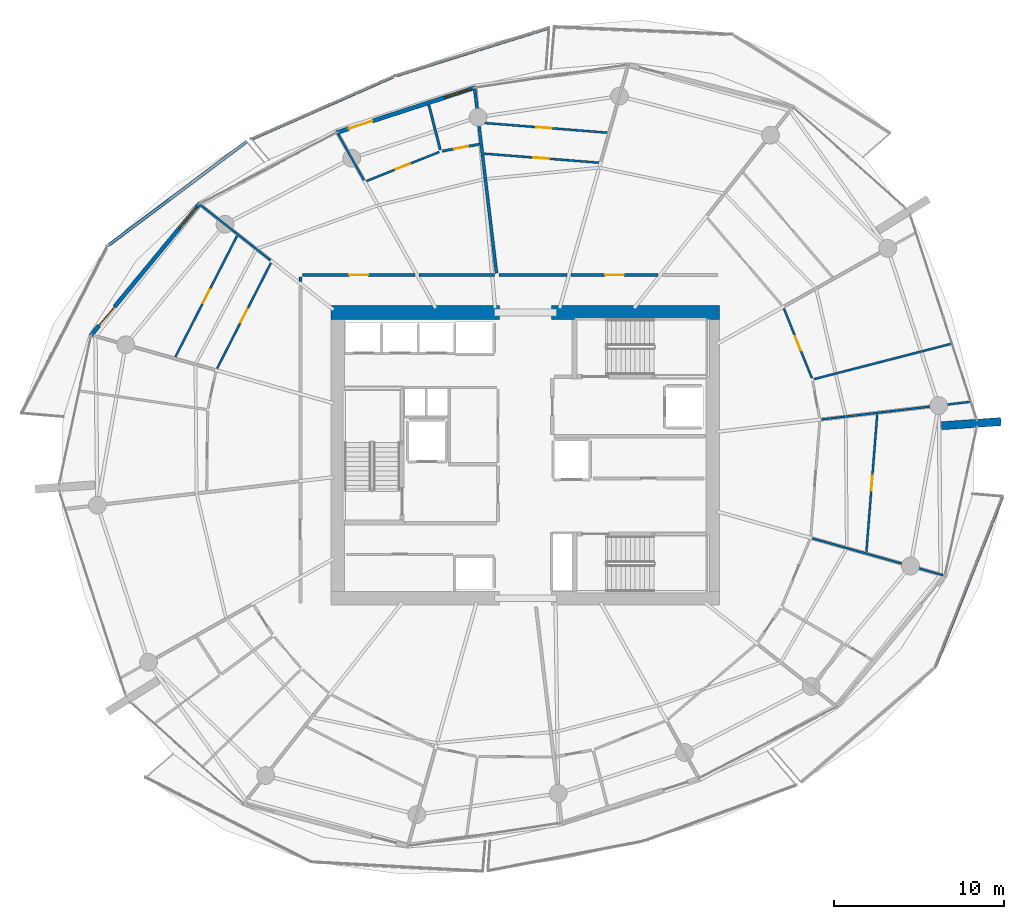
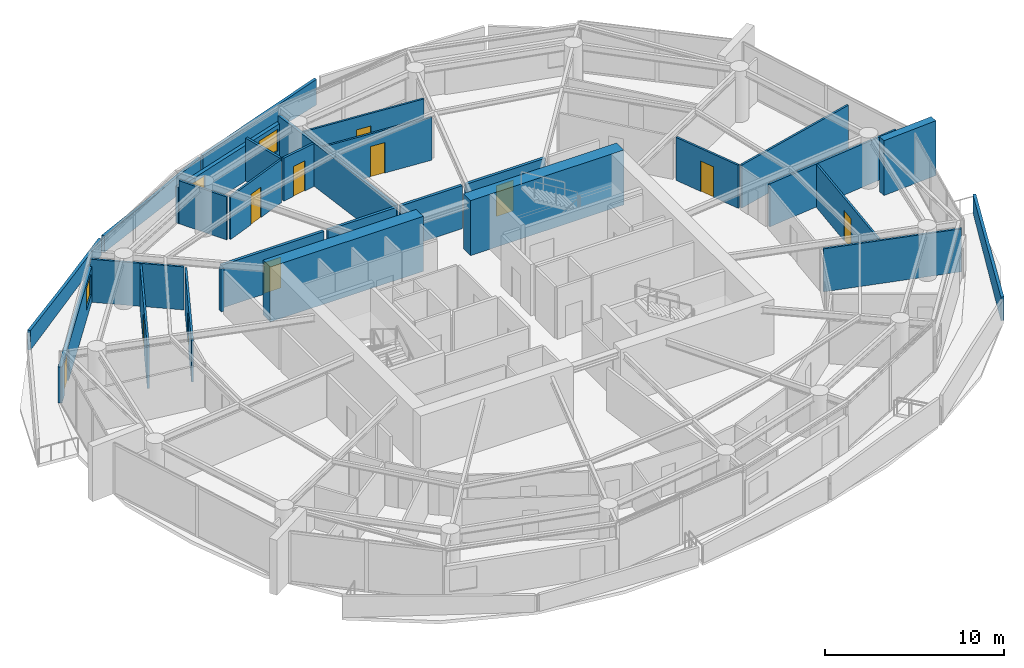
# One storey, part 14 of 20: 29 walls, 12 doors, 2 windows, 14 openings.
"""IFC4 building model written with IfcOpenShell, lengths in metres."""

from ifc_helpers import new_model, si_unit, direction, frame, frame_2d, origin, place, context, subcontext, project, spatial, polyline, rectangle, outline, extrude, material, layer, layer_set, type_object, element, fill, save


model = new_model("IFC4")

# Units and contexts
model_context = context("Model", 3, precision=1e-05, world=origin(), true_north=direction((0.0, 1.0)))
body_context = subcontext(model_context, "Body", "Model", "MODEL_VIEW")
ifc_project = project(units=[si_unit("LENGTHUNIT", "METRE"), si_unit("AREAUNIT", "SQUARE_METRE"), si_unit("VOLUMEUNIT", "CUBIC_METRE"), si_unit("PLANEANGLEUNIT", "RADIAN"), si_unit("MASSUNIT", "GRAM", prefix="KILO")], contexts=[model_context])

# Site, building, storey
site_placement = place(None, origin())
site = spatial("IfcSite", under=ifc_project, at=site_placement, CompositionType="ELEMENT")
building_placement = place(site_placement, origin())
building = spatial("IfcBuilding", under=site, at=building_placement, Name="Kazma Halo Residences", CompositionType="ELEMENT")
storey_placement = place(building_placement, frame((0.0, 0.0, 161.550048828125)))
storey = spatial("IfcBuildingStorey", under=building, at=storey_placement, Name="L40", CompositionType="ELEMENT", Elevation=161.550048828125)

# Walls
ifc_material_1 = material(Name="White Concrete C50/60 Balustrade", Category="concrete")
ifc_layer_1 = layer(ifc_material_1, 0.179931640625)
ifc_layer_set_1 = layer_set([ifc_layer_1], Name="White Concrete C50/60 Balustrade")
wall_type_1 = type_object("IfcWallType", Name="WL-BAL-WAVE-180", PredefinedType="PARAPET", material=ifc_layer_set_1)
wall_1_placement = place(storey_placement, frame((49.823974609375, 67.13720703125, 0.0), z_axis=(0.0, 0.0, 1.0), x_axis=(-0.954421625817, -0.298461656119, 0.0)))
element("IfcWall", 1, at=wall_1_placement, inside=storey, type_object=wall_type_1, Name="L40 white wave balustrade wall NNW.1", PredefinedType="PARAPET", context=body_context, shape_type="SweptSolid", body=[
    extrude(outline(polyline([(0.0, 0.0), (9.38330078125, 0.0), (9.383056640625, 1.347900390625), (4.69140625, 1.56201171875), (0.0, 1.7470703125), (0.0, 0.0)])), frame((0.0, 0.08984375, 0.0), z_axis=(0.0, -1.0, 0.0), x_axis=(1.0, 0.0, 0.0)), (0.0, 0.0, 1.0), 0.179931640625),
])
wall_2_placement = place(storey_placement, frame((40.644287109375, 64.252685546875, 0.0), z_axis=(0.0, 0.0, 1.0), x_axis=(-0.915409194146, -0.402524542448, 0.0)))
element("IfcWall", 2, at=wall_2_placement, inside=storey, type_object=wall_type_1, Name="L40 white wave balustrade wall NNW.2", PredefinedType="PARAPET", context=body_context, shape_type="SweptSolid", body=[
    extrude(outline(polyline([(0.0, 0.0), (9.0966796875, 0.0), (9.0966796875, 1.119873046875), (4.54833984375, 1.181884765625), (0.0, 1.347900390625), (0.0, 0.0)])), frame((0.0, 0.08984375, 0.0), z_axis=(0.0, -1.0, 0.0), x_axis=(1.0, 0.0, 0.0)), (0.0, 0.0, 1.0), 0.179931640625),
])
wall_3_placement = place(storey_placement, frame((32.04638671875, 60.449951171875, 0.0), z_axis=(0.0, 0.0, 1.0), x_axis=(-0.800078127259, -0.599895816189, 0.0)))
element("IfcWall", 3, at=wall_3_placement, inside=storey, type_object=wall_type_1, Name="L40 white wave balustrade wall NW.1", PredefinedType="PARAPET", context=body_context, shape_type="SweptSolid", body=[
    extrude(outline(polyline([(0.0, 0.0), (10.123779296875, 0.0), (10.123779296875, 1.347900390625), (5.061767578125, 1.181884765625), (0.0, 1.119873046875), (0.0, 0.0)])), frame((0.0, 0.08984375, 0.0), z_axis=(0.0, -1.0, 0.0), x_axis=(1.0, 0.0, 0.0)), (0.0, 0.0, 1.0), 0.179931640625),
])
wall_4_placement = place(storey_placement, frame((72.548095703125, 29.626220703125, 0.0), z_axis=(0.0, 0.0, 1.0), x_axis=(0.367668520181, 0.929956912587, 0.0)))
element("IfcWall", 4, at=wall_4_placement, inside=storey, type_object=wall_type_1, Name="L40 white wave balustrade wall SE.2", PredefinedType="PARAPET", context=body_context, shape_type="SweptSolid", body=[
    extrude(outline(polyline([(0.0, 0.0), (10.706787109375, 0.0), (10.706787109375, 1.23291015625), (5.353515625, 1.41796875), (0.0, 1.6318359375), (0.0, 0.0)])), frame((0.0, 0.08984375, 0.0), z_axis=(0.0, -1.0, 0.0), x_axis=(1.0, 0.0, 0.0)), (0.0, 0.0, 1.0), 0.179931640625),
])
ifc_material_2 = material(Name="Pale Concrete C60/75", Category="concrete")
ifc_layer_2 = layer(ifc_material_2, 0.47998046875)
ifc_layer_set_2 = layer_set([ifc_layer_2], Name="Pale Concrete C60/75")
wall_type_2 = type_object("IfcWallType", Name="WL-BLADE-480", PredefinedType="SOLIDWALL", material=ifc_layer_set_2)
wall_5_placement = place(storey_placement, frame((72.89697265625, 43.740966796875, 0.0), z_axis=(0.0, 0.0, 1.0), x_axis=(0.997564163539, 0.069754853754, 0.0)))
element("IfcWall", 5, at=wall_5_placement, inside=storey, type_object=wall_type_2, Name="L40 pale concrete structural blade fin wall BW-04", PredefinedType="SOLIDWALL", context=body_context, shape_type="SweptSolid", body=[
    extrude(rectangle(XDim=3.5, YDim=0.47998046875, at=frame_2d((1.75, 0.0))), origin(), (0.0, 0.0, 1.0), 3.75),
])
ifc_material_3 = material(Name="Concrete C80/95", Category="concrete")
ifc_layer_3 = layer(ifc_material_3, 0.800048828125)
ifc_layer_set_3 = layer_set([ifc_layer_3], Name="Concrete C80/95")
wall_type_3 = type_object("IfcWallType", Name="WL-CORE-800", PredefinedType="SHEAR", material=ifc_layer_set_3)
wall_6_placement = place(storey_placement, frame((37.0, 50.39990234375, 0.0), z_axis=(0.0, 0.0, 1.0), x_axis=(1.0, 0.0, 0.0)))
element("IfcWall", 6, at=wall_6_placement, inside=storey, type_object=wall_type_3, Name="L40 central core shear wall NW", PredefinedType="SHEAR", context=body_context, shape_type="SweptSolid", body=[
    extrude(rectangle(XDim=9.89990234375, YDim=0.800048828125, at=frame_2d((4.949951171875, 0.0))), origin(), (0.0, 0.0, 1.0), 3.75),
])
wall_7_placement = place(storey_placement, frame((49.949951171875, 50.39990234375, 0.0), z_axis=(0.0, 0.0, 1.0), x_axis=(1.0, 0.0, 0.0)))
element("IfcWall", 7, at=wall_7_placement, inside=storey, type_object=wall_type_3, Name="L40 central core shear wall NE", PredefinedType="SHEAR", context=body_context, shape_type="SweptSolid", body=[
    extrude(rectangle(XDim=9.900146484375, YDim=0.800048828125, at=frame_2d((4.9501953125, 0.0))), origin(), (0.0, 0.0, 1.0), 3.75),
])
ifc_material_4 = material(Name="Acoustic Twin-Stud Gypsum")
ifc_layer_4 = layer(ifc_material_4, 0.179931640625)
ifc_layer_set_4 = layer_set([ifc_layer_4], Name="Acoustic Twin-Stud Gypsum")
wall_type_4 = type_object("IfcWallType", Name="WL-DEM-180", PredefinedType="PARTITIONING", material=ifc_layer_set_4)
wall_8_placement = place(storey_placement, frame((46.732421875, 52.709228515625, 0.0), z_axis=(0.0, 0.0, 1.0), x_axis=(-0.117537145285, 0.993068486802, 0.0)))
element("IfcWall", 8, at=wall_8_placement, inside=storey, type_object=wall_type_4, Name="L40 apartment demising radial wall 03", PredefinedType="PARTITIONING", context=body_context, shape_type="SweptSolid", body=[
    extrude(rectangle(XDim=10.95068359375, YDim=0.179931640625, at=frame_2d((5.475341796875, 0.0))), origin(), (0.0, 0.0, 1.0), 2.93994140625),
])

# Wall, opening, door
wall_9_placement = place(storey_placement, frame((41.943603515625, 52.60009765625, 0.0), z_axis=(0.0, 0.0, 1.0), x_axis=(-1.0, 0.0, 0.0)))
wall_9 = element("IfcWall", 9, at=wall_9_placement, inside=storey, type_object=wall_type_4, Name="L40 Apartment 1 entrance corridor wall", PredefinedType="PARTITIONING", context=body_context, shape_type="SweptSolid", body=[
    extrude(rectangle(XDim=6.62353515625, YDim=0.179931640625, at=frame_2d((3.311767578125, 0.0))), origin(), (0.0, 0.0, 1.0), 2.93994140625),
])
opening_1_placement = place(wall_9_placement, frame((2.76171875, 0.0, 0.0)))
opening_1 = element("IfcOpeningElement", 10, at=opening_1_placement, cuts=wall_9, Name="Opening DA-1100", PredefinedType="OPENING", context=body_context, shape_type="SweptSolid", body=[
    extrude(rectangle(XDim=1.10009765625, YDim=2.10009765625, at=frame_2d((0.550048828125, 1.050048828125))), frame((0.0, 0.099853515625, 0.0), z_axis=(0.0, -1.0, 0.0), x_axis=(1.0, 0.0, 0.0)), (0.0, 0.0, 1.0), 0.199951171875),
])
ifc_material_5 = material(Name="Acoustic Walnut Fire Leaf")
door_type_1 = type_object("IfcDoorType", Name="DR-FD60-1100", OperationType="NOTDEFINED", PredefinedType="DOOR", material=ifc_material_5)
door_1_placement = place(opening_1_placement, origin())
door_1 = element("IfcDoor", 11, at=door_1_placement, inside=storey, type_object=door_type_1, Name="L40 Apartment 1 entrance fire door", OperationType="SINGLE_SWING_RIGHT", OverallHeight=2.10009765625, OverallWidth=1.10009765625, PredefinedType="DOOR", context=body_context, shape_type="SweptSolid", body=[
    extrude(rectangle(XDim=1.10009765625, YDim=2.10009765625, at=frame_2d((0.550048828125, 1.050048828125))), frame((0.0, 0.02490234375, 0.0), z_axis=(0.0, -1.0, 0.0), x_axis=(1.0, 0.0, 0.0)), (0.0, 0.0, 1.0), 0.050048828125),
])
fill(opening_1, door_1)

# Walls
wall_10_placement = place(storey_placement, frame((35.199951171875, 52.47998046875, 0.0), z_axis=(0.0, 0.0, 1.0), x_axis=(0.0, -1.0, 0.0)))
element("IfcWall", 12, at=wall_10_placement, inside=storey, type_object=wall_type_4, Name="L40 Apartment 1 entrance corridor wall", PredefinedType="PARTITIONING", context=body_context, shape_type="SweptSolid", body=[
    extrude(rectangle(XDim=0.269287109375, YDim=0.179931640625, at=frame_2d((0.134765625, 0.0))), origin(), (0.0, 0.0, 1.0), 2.93994140625),
])
wall_11_placement = place(storey_placement, frame((46.62548828125, 52.60009765625, 0.0), z_axis=(0.0, 0.0, 1.0), x_axis=(-1.0, 0.0, 0.0)))
element("IfcWall", 13, at=wall_11_placement, inside=storey, type_object=wall_type_4, Name="L40 Apartment 1 inner wall 3", PredefinedType="PARTITIONING", context=body_context, shape_type="SweptSolid", body=[
    extrude(rectangle(XDim=4.44189453125, YDim=0.179931640625, at=frame_2d((2.220947265625, 0.0))), origin(), (0.0, 0.0, 1.0), 2.93994140625),
])

# Wall, opening, door
wall_12_placement = place(storey_placement, frame((56.236328125, 52.60009765625, 0.0), z_axis=(0.0, 0.0, 1.0), x_axis=(-1.0, 0.0, 0.0)))
wall_12 = element("IfcWall", 14, at=wall_12_placement, inside=storey, type_object=wall_type_4, Name="L40 Apartment 3 entrance corridor wall", PredefinedType="PARTITIONING", context=body_context, shape_type="SweptSolid", body=[
    extrude(rectangle(XDim=5.126708984375, YDim=0.179931640625, at=frame_2d((2.5634765625, 0.0))), origin(), (0.0, 0.0, 1.0), 2.93994140625),
])
opening_2_placement = place(wall_12_placement, frame((2.013427734375, 0.0, 0.0)))
opening_2 = element("IfcOpeningElement", 15, at=opening_2_placement, cuts=wall_12, Name="Opening DA-1100", PredefinedType="OPENING", context=body_context, shape_type="SweptSolid", body=[
    extrude(rectangle(XDim=1.10009765625, YDim=2.10009765625, at=frame_2d((0.550048828125, 1.050048828125))), frame((0.0, 0.099853515625, 0.0), z_axis=(0.0, -1.0, 0.0), x_axis=(1.0, 0.0, 0.0)), (0.0, 0.0, 1.0), 0.199951171875),
])
door_2_placement = place(opening_2_placement, origin())
door_2 = element("IfcDoor", 16, at=door_2_placement, inside=storey, type_object=door_type_1, Name="L40 Apartment 3 entrance fire door", OperationType="SINGLE_SWING_RIGHT", OverallHeight=2.10009765625, OverallWidth=1.10009765625, PredefinedType="DOOR", context=body_context, shape_type="SweptSolid", body=[
    extrude(rectangle(XDim=1.10009765625, YDim=2.10009765625, at=frame_2d((0.550048828125, 1.050048828125))), frame((0.0, 0.02490234375, 0.0), z_axis=(0.0, -1.0, 0.0), x_axis=(1.0, 0.0, 0.0)), (0.0, 0.0, 1.0), 0.050048828125),
])
fill(opening_2, door_2)

# Wall
wall_13_placement = place(storey_placement, frame((50.869384765625, 52.60009765625, 0.0), z_axis=(0.0, 0.0, 1.0), x_axis=(-1.0, 0.0, 0.0)))
element("IfcWall", 17, at=wall_13_placement, inside=storey, type_object=wall_type_4, Name="L40 Apartment 3 inner wall 2", PredefinedType="PARTITIONING", context=body_context, shape_type="SweptSolid", body=[
    extrude(rectangle(XDim=4.00390625, YDim=0.179931640625, at=frame_2d((2.001953125, 0.0))), origin(), (0.0, 0.0, 1.0), 2.93994140625),
])

# Wall, openings, door, window
ifc_material_6 = material(Name="Insulated Pale-Metal Composite Wall")
ifc_layer_5 = layer(ifc_material_6, 0.239990234375)
ifc_layer_set_5 = layer_set([ifc_layer_5], Name="Insulated Pale-Metal Composite Wall")
wall_type_5 = type_object("IfcWallType", Name="WL-EXT-HOST-240", PredefinedType="SOLIDWALL", material=ifc_layer_set_5)
wall_14_placement = place(storey_placement, frame((45.489990234375, 63.624267578125, 0.0), z_axis=(0.0, 0.0, 1.0), x_axis=(-0.951046390632, -0.309048156224, 0.0)))
wall_14 = element("IfcWall", 18, at=wall_14_placement, inside=storey, type_object=wall_type_5, Name="L40 exterior terrace-access wall B04", PredefinedType="SOLIDWALL", context=body_context, shape_type="SweptSolid", body=[
    extrude(rectangle(XDim=8.590087890625, YDim=0.239990234375, at=frame_2d((4.294921875, 0.0))), origin(), (0.0, 0.0, 1.0), 2.449951171875),
])
opening_3_placement = place(wall_14_placement, frame((6.370361328125, 0.0, 0.0)))
opening_3 = element("IfcOpeningElement", 19, at=opening_3_placement, cuts=wall_14, Name="Opening DTR-1600", PredefinedType="OPENING", context=body_context, shape_type="SweptSolid", body=[
    extrude(rectangle(XDim=1.449951171875, YDim=2.14990234375, at=frame_2d((0.72509765625, 1.074951171875))), frame((0.0, 0.1298828125, 0.0), z_axis=(0.0, -1.0, 0.0), x_axis=(1.0, 0.0, 0.0)), (0.0, 0.0, 1.0), 0.260009765625),
])
opening_4_placement = place(wall_14_placement, frame((0.280029296875, 0.0, 0.64990234375)))
opening_4 = element("IfcOpeningElement", 20, at=opening_4_placement, cuts=wall_14, Name="Opening W-1800", PredefinedType="OPENING", context=body_context, shape_type="SweptSolid", body=[
    extrude(rectangle(XDim=1.60009765625, YDim=1.5, at=frame_2d((0.800048828125, 0.75))), frame((0.0, 0.1298828125, 0.0), z_axis=(0.0, -1.0, 0.0), x_axis=(1.0, 0.0, 0.0)), (0.0, 0.0, 1.0), 0.260009765625),
])
ifc_material_7 = material(Name="Aluminium AW-6063 T6 Double-Glazed Terrace Door", Category="aluminium")
door_type_2 = type_object("IfcDoorType", Name="DR-EXT-TERR-1600", OperationType="NOTDEFINED", PredefinedType="DOOR", material=ifc_material_7)
door_3_placement = place(opening_3_placement, origin())
door_3 = element("IfcDoor", 21, at=door_3_placement, inside=storey, type_object=door_type_2, Name="L40 B04 balcony terrace door", OperationType="DOUBLE_DOOR_SLIDING", OverallHeight=2.14990234375, OverallWidth=1.449951171875, PredefinedType="DOOR", context=body_context, shape_type="SweptSolid", body=[
    extrude(rectangle(XDim=1.449951171875, YDim=2.14990234375, at=frame_2d((0.72509765625, 1.074951171875))), frame((0.0, 0.02490234375, 0.0), z_axis=(0.0, -1.0, 0.0), x_axis=(1.0, 0.0, 0.0)), (0.0, 0.0, 1.0), 0.050048828125),
])
fill(opening_3, door_3)
ifc_material_8 = material(Name="Clear Triple-Silver Low-E Glass in Aluminium AW-6063 T6 Frame", Category="aluminium")
window_type = type_object("IfcWindowType", Name="WIN-RES-1800", PartitioningType="DOUBLE_PANEL_VERTICAL", PredefinedType="WINDOW", material=ifc_material_8)
window_1_placement = place(opening_4_placement, origin())
window_1 = element("IfcWindow", 22, at=window_1_placement, inside=storey, type_object=window_type, Name="L40 B04 apartment window", OverallHeight=1.5, OverallWidth=1.60009765625, PartitioningType="SINGLE_PANEL", PredefinedType="WINDOW", context=body_context, shape_type="SweptSolid", body=[
    extrude(rectangle(XDim=1.60009765625, YDim=1.5, at=frame_2d((0.800048828125, 0.75))), frame((0.0, 0.030029296875, 0.0), z_axis=(0.0, -1.0, 0.0), x_axis=(1.0, 0.0, 0.0)), (0.0, 0.0, 1.0), 0.06005859375),
])
fill(opening_4, window_1)

wall_15_placement = place(storey_placement, frame((29.29052734375, 56.81298828125, 0.0), z_axis=(0.0, 0.0, 1.0), x_axis=(-0.636771922292, -0.77105221547, 0.0)))
wall_15 = element("IfcWall", 23, at=wall_15_placement, inside=storey, type_object=wall_type_5, Name="L40 exterior terrace-access wall B06", PredefinedType="SOLIDWALL", context=body_context, shape_type="SweptSolid", body=[
    extrude(rectangle(XDim=10.08154296875, YDim=0.239990234375, at=frame_2d((5.040771484375, 0.0))), origin(), (0.0, 0.0, 1.0), 2.449951171875),
])
opening_5_placement = place(wall_15_placement, frame((7.861572265625, 0.0, 0.0)))
opening_5 = element("IfcOpeningElement", 24, at=opening_5_placement, cuts=wall_15, Name="Opening DTR-1600", PredefinedType="OPENING", context=body_context, shape_type="SweptSolid", body=[
    extrude(rectangle(XDim=1.449951171875, YDim=2.14990234375, at=frame_2d((0.72509765625, 1.074951171875))), frame((0.0, 0.1298828125, 0.0), z_axis=(0.0, -1.0, 0.0), x_axis=(1.0, 0.0, 0.0)), (0.0, 0.0, 1.0), 0.260009765625),
])
opening_6_placement = place(wall_15_placement, frame((0.280029296875, 0.0, 0.64990234375)))
opening_6 = element("IfcOpeningElement", 25, at=opening_6_placement, cuts=wall_15, Name="Opening W-1800", PredefinedType="OPENING", context=body_context, shape_type="SweptSolid", body=[
    extrude(rectangle(XDim=1.60009765625, YDim=1.5, at=frame_2d((0.800048828125, 0.75))), frame((0.0, 0.1298828125, 0.0), z_axis=(0.0, -1.0, 0.0), x_axis=(1.0, 0.0, 0.0)), (0.0, 0.0, 1.0), 0.260009765625),
])
door_4_placement = place(opening_5_placement, origin())
door_4 = element("IfcDoor", 26, at=door_4_placement, inside=storey, type_object=door_type_2, Name="L40 B06 balcony terrace door", OperationType="DOUBLE_DOOR_SLIDING", OverallHeight=2.14990234375, OverallWidth=1.449951171875, PredefinedType="DOOR", context=body_context, shape_type="SweptSolid", body=[
    extrude(rectangle(XDim=1.449951171875, YDim=2.14990234375, at=frame_2d((0.72509765625, 1.074951171875))), frame((0.0, 0.02490234375, 0.0), z_axis=(0.0, -1.0, 0.0), x_axis=(1.0, 0.0, 0.0)), (0.0, 0.0, 1.0), 0.050048828125),
])
fill(opening_5, door_4)
window_2_placement = place(opening_6_placement, origin())
window_2 = element("IfcWindow", 27, at=window_2_placement, inside=storey, type_object=window_type, Name="L40 B06 apartment window", OverallHeight=1.5, OverallWidth=1.60009765625, PartitioningType="SINGLE_PANEL", PredefinedType="WINDOW", context=body_context, shape_type="SweptSolid", body=[
    extrude(rectangle(XDim=1.60009765625, YDim=1.5, at=frame_2d((0.800048828125, 0.75))), frame((0.0, 0.030029296875, 0.0), z_axis=(0.0, -1.0, 0.0), x_axis=(1.0, 0.0, 0.0)), (0.0, 0.0, 1.0), 0.06005859375),
])
fill(opening_6, window_2)

# Wall
ifc_material_9 = material(Name="Gypsum Plasterboard Partition")
ifc_layer_6 = layer(ifc_material_9, 0.125)
ifc_layer_set_6 = layer_set([ifc_layer_6], Name="Gypsum Plasterboard Partition")
wall_type_6 = type_object("IfcWallType", Name="WL-PART-125", PredefinedType="PARTITIONING", material=ifc_layer_set_6)
wall_16_placement = place(storey_placement, frame((38.94140625, 58.17529296875, 0.0), z_axis=(0.0, 0.0, 1.0), x_axis=(-0.488620181058, 0.872496600946, 0.0)))
element("IfcWall", 28, at=wall_16_placement, inside=storey, type_object=wall_type_6, Name="L40 Apartment 1 living radial partition 3", PredefinedType="PARTITIONING", context=body_context, shape_type="SweptSolid", body=[
    extrude(rectangle(XDim=3.095458984375, YDim=0.125, at=frame_2d((1.5478515625, 0.0))), origin(), (0.0, 0.0, 1.0), 2.93994140625),
])

# Wall, opening, door
wall_17_placement = place(storey_placement, frame((43.365966796875, 59.835205078125, 0.0), z_axis=(0.0, 0.0, 1.0), x_axis=(-0.928691950022, -0.370852075584, 0.0)))
wall_17 = element("IfcWall", 29, at=wall_17_placement, inside=storey, type_object=wall_type_6, Name="L40 Apartment 1 Gourmet Kitchen hall wall", PredefinedType="PARTITIONING", context=body_context, shape_type="SweptSolid", body=[
    extrude(rectangle(XDim=4.611572265625, YDim=0.125, at=frame_2d((2.3056640625, 0.0))), origin(), (0.0, 0.0, 1.0), 2.93994140625),
])
opening_7_placement = place(wall_17_placement, frame((1.855712890625, 0.0, 0.0)))
opening_7 = element("IfcOpeningElement", 30, at=opening_7_placement, cuts=wall_17, Name="Opening DI-950", PredefinedType="OPENING", context=body_context, shape_type="SweptSolid", body=[
    extrude(rectangle(XDim=0.89990234375, YDim=2.080078125, at=frame_2d((0.449951171875, 1.0400390625))), frame((0.0, 0.072509765625, 0.0), z_axis=(0.0, -1.0, 0.0), x_axis=(1.0, 0.0, 0.0)), (0.0, 0.0, 1.0), 0.14501953125),
])
ifc_material_10 = material(Name="Timber Veneer Flush Leaf", Category="wood")
door_type_3 = type_object("IfcDoorType", Name="DR-INT-950", OperationType="NOTDEFINED", PredefinedType="DOOR", material=ifc_material_10)
door_5_placement = place(opening_7_placement, origin())
door_5 = element("IfcDoor", 31, at=door_5_placement, inside=storey, type_object=door_type_3, Name="L40 Apartment 1 Gourmet Kitchen door", OperationType="SINGLE_SWING_RIGHT", OverallHeight=2.080078125, OverallWidth=0.89990234375, PredefinedType="DOOR", context=body_context, shape_type="SweptSolid", body=[
    extrude(rectangle(XDim=0.89990234375, YDim=2.080078125, at=frame_2d((0.449951171875, 1.0400390625))), frame((0.0, 0.02490234375, 0.0), z_axis=(0.0, -1.0, 0.0), x_axis=(1.0, 0.0, 0.0)), (0.0, 0.0, 1.0), 0.050048828125),
])
fill(opening_7, door_5)

# Wall
wall_18_placement = place(storey_placement, frame((33.44091796875, 53.477294921875, 0.0), z_axis=(0.0, 0.0, 1.0), x_axis=(-0.785319981095, 0.619090080112, 0.0)))
element("IfcWall", 32, at=wall_18_placement, inside=storey, type_object=wall_type_6, Name="L40 Apartment 1 radial partition 5", PredefinedType="PARTITIONING", context=body_context, shape_type="SweptSolid", body=[
    extrude(rectangle(XDim=5.300537109375, YDim=0.125, at=frame_2d((2.650390625, 0.0))), origin(), (0.0, 0.0, 1.0), 2.93994140625),
])

# Wall, opening, door
wall_19_placement = place(storey_placement, frame((33.469482421875, 53.3173828125, 0.0), z_axis=(0.0, 0.0, 1.0), x_axis=(-0.453977694262, -0.891013048789, 0.0)))
wall_19 = element("IfcWall", 33, at=wall_19_placement, inside=storey, type_object=wall_type_6, Name="L40 Apartment 1 East Study hall wall", PredefinedType="PARTITIONING", context=body_context, shape_type="SweptSolid", body=[
    extrude(rectangle(XDim=6.974365234375, YDim=0.125, at=frame_2d((3.4873046875, 0.0))), origin(), (0.0, 0.0, 1.0), 2.93994140625),
])
opening_8_placement = place(wall_19_placement, frame((3.037353515625, 0.0, 0.0)))
opening_8 = element("IfcOpeningElement", 34, at=opening_8_placement, cuts=wall_19, Name="Opening DI-950", PredefinedType="OPENING", context=body_context, shape_type="SweptSolid", body=[
    extrude(rectangle(XDim=0.89990234375, YDim=2.080078125, at=frame_2d((0.449951171875, 1.0400390625))), frame((0.0, 0.072509765625, 0.0), z_axis=(0.0, -1.0, 0.0), x_axis=(1.0, 0.0, 0.0)), (0.0, 0.0, 1.0), 0.14501953125),
])
door_6_placement = place(opening_8_placement, origin())
door_6 = element("IfcDoor", 35, at=door_6_placement, inside=storey, type_object=door_type_3, Name="L40 Apartment 1 East Study door", OperationType="SINGLE_SWING_RIGHT", OverallHeight=2.080078125, OverallWidth=0.89990234375, PredefinedType="DOOR", context=body_context, shape_type="SweptSolid", body=[
    extrude(rectangle(XDim=0.89990234375, YDim=2.080078125, at=frame_2d((0.449951171875, 1.0400390625))), frame((0.0, 0.02490234375, 0.0), z_axis=(0.0, -1.0, 0.0), x_axis=(1.0, 0.0, 0.0)), (0.0, 0.0, 1.0), 0.050048828125),
])
fill(opening_8, door_6)

wall_20_placement = place(storey_placement, frame((31.4716796875, 54.892333984375, 0.0), z_axis=(0.0, 0.0, 1.0), x_axis=(-0.453991424948, -0.89100605277, 0.0)))
wall_20 = element("IfcWall", 36, at=wall_20_placement, inside=storey, type_object=wall_type_6, Name="L40 Apartment 1 West Master Bedroom divider wall", PredefinedType="PARTITIONING", context=body_context, shape_type="SweptSolid", body=[
    extrude(rectangle(XDim=7.967041015625, YDim=0.125, at=frame_2d((3.9833984375, 0.0))), origin(), (0.0, 0.0, 1.0), 2.93994140625),
])
opening_9_placement = place(wall_20_placement, frame((3.53369140625, 0.0, 0.0)))
opening_9 = element("IfcOpeningElement", 37, at=opening_9_placement, cuts=wall_20, Name="Opening DI-950", PredefinedType="OPENING", context=body_context, shape_type="SweptSolid", body=[
    extrude(rectangle(XDim=0.89990234375, YDim=2.080078125, at=frame_2d((0.449951171875, 1.0400390625))), frame((0.0, 0.072509765625, 0.0), z_axis=(0.0, -1.0, 0.0), x_axis=(1.0, 0.0, 0.0)), (0.0, 0.0, 1.0), 0.14501953125),
])
door_7_placement = place(opening_9_placement, origin())
door_7 = element("IfcDoor", 38, at=door_7_placement, inside=storey, type_object=door_type_3, Name="L40 Apartment 1 West Master Bedroom door", OperationType="SINGLE_SWING_LEFT", OverallHeight=2.080078125, OverallWidth=0.89990234375, PredefinedType="DOOR", context=body_context, shape_type="SweptSolid", body=[
    extrude(rectangle(XDim=0.89990234375, YDim=2.080078125, at=frame_2d((0.449951171875, 1.0400390625))), frame((0.0, 0.02490234375, 0.0), z_axis=(0.0, -1.0, 0.0), x_axis=(1.0, 0.0, 0.0)), (0.0, 0.0, 1.0), 0.050048828125),
])
fill(opening_9, door_7)

# Wall
wall_21_placement = place(storey_placement, frame((65.29541015625, 37.122314453125, 0.0), z_axis=(0.0, 0.0, 1.0), x_axis=(0.962453364466, -0.271447087346, 0.0)))
element("IfcWall", 39, at=wall_21_placement, inside=storey, type_object=wall_type_6, Name="L40 Apartment 3 radial partition 14", PredefinedType="PARTITIONING", context=body_context, shape_type="SweptSolid", body=[
    extrude(rectangle(XDim=7.981201171875, YDim=0.125, at=frame_2d((3.99072265625, 0.0))), origin(), (0.0, 0.0, 1.0), 2.93994140625),
])

# Wall, opening, door
wall_22_placement = place(storey_placement, frame((68.47900390625, 36.33642578125, 0.0), z_axis=(0.0, 0.0, 1.0), x_axis=(0.078482765766, 0.996915470578, 0.0)))
wall_22 = element("IfcWall", 40, at=wall_22_placement, inside=storey, type_object=wall_type_6, Name="L40 Apartment 3 Outer Master Bedroom divider wall", PredefinedType="PARTITIONING", context=body_context, shape_type="SweptSolid", body=[
    extrude(rectangle(XDim=8.07861328125, YDim=0.125, at=frame_2d((4.039306640625, 0.0))), origin(), (0.0, 0.0, 1.0), 2.93994140625),
])
opening_10_placement = place(wall_22_placement, frame((3.58935546875, 0.0, 0.0)))
opening_10 = element("IfcOpeningElement", 41, at=opening_10_placement, cuts=wall_22, Name="Opening DI-950", PredefinedType="OPENING", context=body_context, shape_type="SweptSolid", body=[
    extrude(rectangle(XDim=0.89990234375, YDim=2.080078125, at=frame_2d((0.449951171875, 1.0400390625))), frame((0.0, 0.072509765625, 0.0), z_axis=(0.0, -1.0, 0.0), x_axis=(1.0, 0.0, 0.0)), (0.0, 0.0, 1.0), 0.14501953125),
])
door_8_placement = place(opening_10_placement, origin())
door_8 = element("IfcDoor", 42, at=door_8_placement, inside=storey, type_object=door_type_3, Name="L40 Apartment 3 Outer Master Bedroom door", OperationType="SINGLE_SWING_RIGHT", OverallHeight=2.080078125, OverallWidth=0.89990234375, PredefinedType="DOOR", context=body_context, shape_type="SweptSolid", body=[
    extrude(rectangle(XDim=0.89990234375, YDim=2.080078125, at=frame_2d((0.449951171875, 1.0400390625))), frame((0.0, 0.02490234375, 0.0), z_axis=(0.0, -1.0, 0.0), x_axis=(1.0, 0.0, 0.0)), (0.0, 0.0, 1.0), 0.050048828125),
])
fill(opening_10, door_8)

# Walls
wall_23_placement = place(storey_placement, frame((65.845458984375, 44.1123046875, 0.0), z_axis=(0.0, 0.0, 1.0), x_axis=(0.993069843717, 0.117525680174, 0.0)))
element("IfcWall", 43, at=wall_23_placement, inside=storey, type_object=wall_type_6, Name="L40 Apartment 3 radial partition 15", PredefinedType="PARTITIONING", context=body_context, shape_type="SweptSolid", body=[
    extrude(rectangle(XDim=8.816162109375, YDim=0.125, at=frame_2d((4.408203125, 0.0))), origin(), (0.0, 0.0, 1.0), 2.93994140625),
])
wall_24_placement = place(storey_placement, frame((65.392333984375, 46.480224609375, 0.0), z_axis=(0.0, 0.0, 1.0), x_axis=(0.968391846752, 0.249433821172, 0.0)))
element("IfcWall", 44, at=wall_24_placement, inside=storey, type_object=wall_type_6, Name="L40 Apartment 3 mid-bay wall 15", PredefinedType="PARTITIONING", context=body_context, shape_type="SweptSolid", body=[
    extrude(rectangle(XDim=8.36181640625, YDim=0.125, at=frame_2d((4.180908203125, 0.0))), origin(), (0.0, 0.0, 1.0), 2.93994140625),
])

# Wall, opening, door
wall_25_placement = place(storey_placement, frame((65.275390625, 46.531982421875, 0.0), z_axis=(0.0, 0.0, 1.0), x_axis=(-0.372161107737, 0.928168147421, 0.0)))
wall_25 = element("IfcWall", 45, at=wall_25_placement, inside=storey, type_object=wall_type_6, Name="L40 Apartment 3 Garden Master Bedroom hall wall", PredefinedType="PARTITIONING", context=body_context, shape_type="SweptSolid", body=[
    extrude(rectangle(XDim=4.4248046875, YDim=0.125, at=frame_2d((2.21240234375, 0.0))), origin(), (0.0, 0.0, 1.0), 2.93994140625),
])
opening_11_placement = place(wall_25_placement, frame((1.76220703125, 0.0, 0.0)))
opening_11 = element("IfcOpeningElement", 46, at=opening_11_placement, cuts=wall_25, Name="Opening DI-950", PredefinedType="OPENING", context=body_context, shape_type="SweptSolid", body=[
    extrude(rectangle(XDim=0.89990234375, YDim=2.080078125, at=frame_2d((0.449951171875, 1.0400390625))), frame((0.0, 0.072509765625, 0.0), z_axis=(0.0, -1.0, 0.0), x_axis=(1.0, 0.0, 0.0)), (0.0, 0.0, 1.0), 0.14501953125),
])
door_9_placement = place(opening_11_placement, origin())
door_9 = element("IfcDoor", 47, at=door_9_placement, inside=storey, type_object=door_type_3, Name="L40 Apartment 3 Garden Master Bedroom door", OperationType="SINGLE_SWING_LEFT", OverallHeight=2.080078125, OverallWidth=0.89990234375, PredefinedType="DOOR", context=body_context, shape_type="SweptSolid", body=[
    extrude(rectangle(XDim=0.89990234375, YDim=2.080078125, at=frame_2d((0.449951171875, 1.0400390625))), frame((0.0, 0.02490234375, 0.0), z_axis=(0.0, -1.0, 0.0), x_axis=(1.0, 0.0, 0.0)), (0.0, 0.0, 1.0), 0.050048828125),
])
fill(opening_11, door_9)

wall_26_placement = place(storey_placement, frame((52.740966796875, 59.207763671875, 0.0), z_axis=(0.0, 0.0, 1.0), x_axis=(-0.996917452966, 0.078457580711, 0.0)))
wall_26 = element("IfcWall", 48, at=wall_26_placement, inside=storey, type_object=wall_type_6, Name="L40 Apartment 3 Primary Study hall wall", PredefinedType="PARTITIONING", context=body_context, shape_type="SweptSolid", body=[
    extrude(rectangle(XDim=6.75244140625, YDim=0.125, at=frame_2d((3.376220703125, 0.0))), origin(), (0.0, 0.0, 1.0), 2.93994140625),
])
opening_12_placement = place(wall_26_placement, frame((2.92626953125, 0.0, 0.0)))
opening_12 = element("IfcOpeningElement", 49, at=opening_12_placement, cuts=wall_26, Name="Opening DI-950", PredefinedType="OPENING", context=body_context, shape_type="SweptSolid", body=[
    extrude(rectangle(XDim=0.89990234375, YDim=2.080078125, at=frame_2d((0.449951171875, 1.0400390625))), frame((0.0, 0.072509765625, 0.0), z_axis=(0.0, -1.0, 0.0), x_axis=(1.0, 0.0, 0.0)), (0.0, 0.0, 1.0), 0.14501953125),
])
door_10_placement = place(opening_12_placement, origin())
door_10 = element("IfcDoor", 50, at=door_10_placement, inside=storey, type_object=door_type_3, Name="L40 Apartment 3 Primary Study door", OperationType="SINGLE_SWING_LEFT", OverallHeight=2.080078125, OverallWidth=0.89990234375, PredefinedType="DOOR", context=body_context, shape_type="SweptSolid", body=[
    extrude(rectangle(XDim=0.89990234375, YDim=2.080078125, at=frame_2d((0.449951171875, 1.0400390625))), frame((0.0, 0.02490234375, 0.0), z_axis=(0.0, -1.0, 0.0), x_axis=(1.0, 0.0, 0.0)), (0.0, 0.0, 1.0), 0.050048828125),
])
fill(opening_12, door_10)

wall_27_placement = place(storey_placement, frame((53.238525390625, 60.971923828125, 0.0), z_axis=(0.0, 0.0, 1.0), x_axis=(-0.996916953075, 0.078463932292, 0.0)))
wall_27 = element("IfcWall", 51, at=wall_27_placement, inside=storey, type_object=wall_type_6, Name="L40 Apartment 3 Secondary Bedroom divider wall", PredefinedType="PARTITIONING", context=body_context, shape_type="SweptSolid", body=[
    extrude(rectangle(XDim=7.467529296875, YDim=0.125, at=frame_2d((3.73388671875, 0.0))), origin(), (0.0, 0.0, 1.0), 2.93994140625),
])
opening_13_placement = place(wall_27_placement, frame((3.28369140625, 0.0, 0.0)))
opening_13 = element("IfcOpeningElement", 52, at=opening_13_placement, cuts=wall_27, Name="Opening DI-950", PredefinedType="OPENING", context=body_context, shape_type="SweptSolid", body=[
    extrude(rectangle(XDim=0.89990234375, YDim=2.080078125, at=frame_2d((0.449951171875, 1.0400390625))), frame((0.0, 0.072509765625, 0.0), z_axis=(0.0, -1.0, 0.0), x_axis=(1.0, 0.0, 0.0)), (0.0, 0.0, 1.0), 0.14501953125),
])
door_11_placement = place(opening_13_placement, origin())
door_11 = element("IfcDoor", 53, at=door_11_placement, inside=storey, type_object=door_type_3, Name="L40 Apartment 3 Secondary Bedroom door", OperationType="SINGLE_SWING_RIGHT", OverallHeight=2.080078125, OverallWidth=0.89990234375, PredefinedType="DOOR", context=body_context, shape_type="SweptSolid", body=[
    extrude(rectangle(XDim=0.89990234375, YDim=2.080078125, at=frame_2d((0.449951171875, 1.0400390625))), frame((0.0, 0.02490234375, 0.0), z_axis=(0.0, -1.0, 0.0), x_axis=(1.0, 0.0, 0.0)), (0.0, 0.0, 1.0), 0.050048828125),
])
fill(opening_13, door_11)

ifc_material_11 = material(Name="Moisture-Resistant Gypsum")
ifc_layer_7 = layer(ifc_material_11, 0.14990234375)
ifc_layer_set_7 = layer_set([ifc_layer_7], Name="Moisture-Resistant Gypsum")
wall_type_7 = type_object("IfcWallType", Name="WL-WET-150", PredefinedType="PARTITIONING", material=ifc_layer_set_7)
wall_28_placement = place(storey_placement, frame((45.734375, 60.29296875, 0.0), z_axis=(0.0, 0.0, 1.0), x_axis=(-0.983182569162, -0.182625397184, 0.0)))
wall_28 = element("IfcWall", 54, at=wall_28_placement, inside=storey, type_object=wall_type_7, Name="L40 Apartment 1 Guest Bathroom hall wall", PredefinedType="PARTITIONING", context=body_context, shape_type="SweptSolid", body=[
    extrude(rectangle(XDim=2.23388671875, YDim=0.14990234375, at=frame_2d((1.116943359375, 0.0))), origin(), (0.0, 0.0, 1.0), 2.93994140625),
])
opening_14_placement = place(wall_28_placement, frame((0.69189453125, 0.0, 0.0)))
opening_14 = element("IfcOpeningElement", 55, at=opening_14_placement, cuts=wall_28, Name="Opening DB-900", PredefinedType="OPENING", context=body_context, shape_type="SweptSolid", body=[
    extrude(rectangle(XDim=0.85009765625, YDim=2.06005859375, at=frame_2d((0.425048828125, 1.030029296875))), frame((0.0, 0.0849609375, 0.0), z_axis=(0.0, -1.0, 0.0), x_axis=(1.0, 0.0, 0.0)), (0.0, 0.0, 1.0), 0.169921875),
])
ifc_material_12 = material(Name="Moisture-Sealed Timber Leaf", Category="wood")
door_type_4 = type_object("IfcDoorType", Name="DR-BTH-900", OperationType="NOTDEFINED", PredefinedType="DOOR", material=ifc_material_12)
door_12_placement = place(opening_14_placement, origin())
door_12 = element("IfcDoor", 56, at=door_12_placement, inside=storey, type_object=door_type_4, Name="L40 Apartment 1 Guest Bathroom door", OperationType="SINGLE_SWING_RIGHT", OverallHeight=2.06005859375, OverallWidth=0.85009765625, PredefinedType="DOOR", context=body_context, shape_type="SweptSolid", body=[
    extrude(rectangle(XDim=0.85009765625, YDim=2.06005859375, at=frame_2d((0.425048828125, 1.030029296875))), frame((0.0, 0.02490234375, 0.0), z_axis=(0.0, -1.0, 0.0), x_axis=(1.0, 0.0, 0.0)), (0.0, 0.0, 1.0), 0.050048828125),
])
fill(opening_14, door_12)

# Wall
wall_29_placement = place(storey_placement, frame((43.42724609375, 59.955810546875, 0.0), z_axis=(0.0, 0.0, 1.0), x_axis=(-0.246779972966, 0.969071537578, 0.0)))
element("IfcWall", 57, at=wall_29_placement, inside=storey, type_object=wall_type_7, Name="L40 Apartment 1 Guest Bathroom side wall", PredefinedType="PARTITIONING", context=body_context, shape_type="SweptSolid", body=[
    extrude(rectangle(XDim=2.732421875, YDim=0.14990234375, at=frame_2d((1.3662109375, 0.0))), origin(), (0.0, 0.0, 1.0), 2.93994140625),
])

save(model, "model.ifc")
